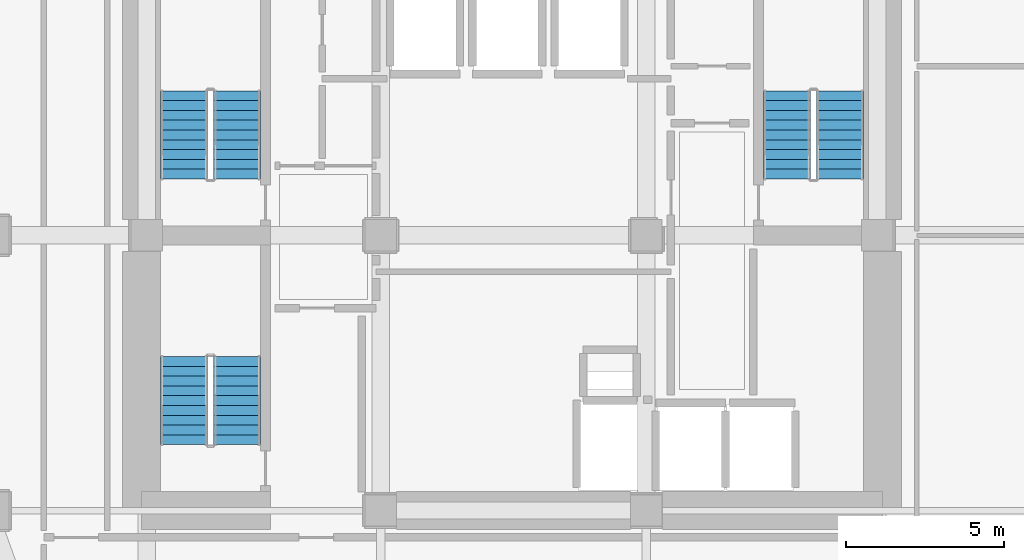
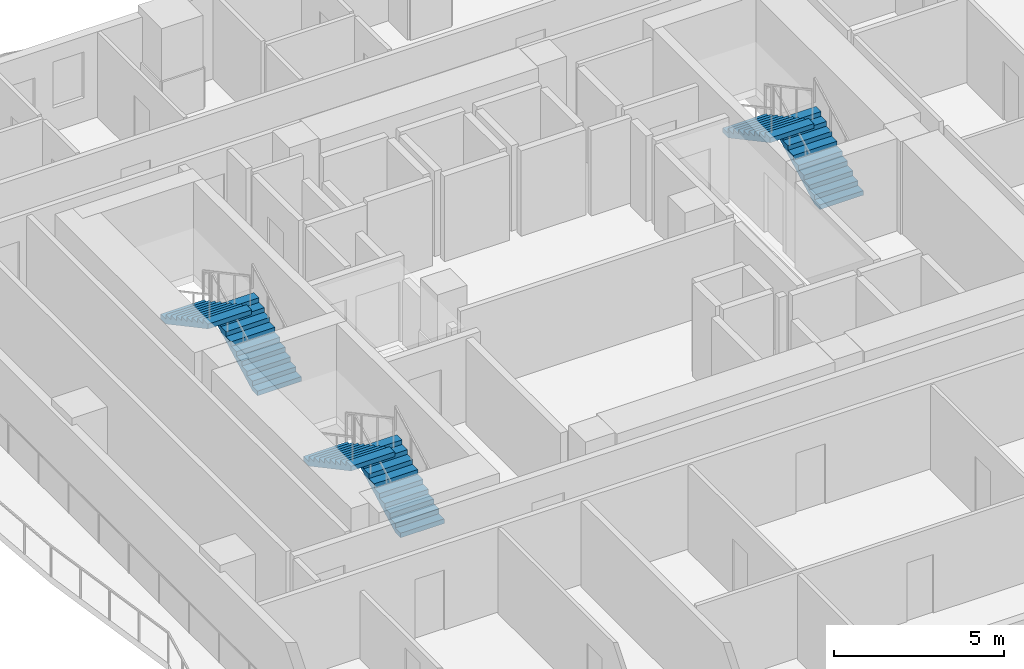
# One storey, part 7 of 10: 6 stair flights, 3 elements without a shape of their own.
"""IFC4 building model written with IfcOpenShell, lengths in metres."""

from ifc_helpers import new_model, si_unit, direction, frame, origin, place, context, subcontext, project, spatial, polyline, outline, extrude, material, type_object, element, aggregate, save


model = new_model("IFC4")

# Units and contexts
model_context = context("Model", 3, precision=1e-05, world=origin(), true_north=direction((0.0, 1.0)))
body_context = subcontext(model_context, "Body", "Model", "MODEL_VIEW")
ifc_project = project(units=[si_unit("LENGTHUNIT", "METRE"), si_unit("AREAUNIT", "SQUARE_METRE"), si_unit("VOLUMEUNIT", "CUBIC_METRE"), si_unit("PLANEANGLEUNIT", "RADIAN"), si_unit("MASSUNIT", "GRAM", prefix="KILO")], contexts=[model_context])

# Site, building, storey
site_placement = place(None, origin())
site = spatial("IfcSite", under=ifc_project, at=site_placement, CompositionType="ELEMENT")
building_placement = place(site_placement, origin())
building = spatial("IfcBuilding", under=site, at=building_placement, Name="Solanera Arch Residences", CompositionType="ELEMENT")
storey_placement = place(building_placement, frame((0.0, 0.0, 48.56005859375)))
storey = spatial("IfcBuildingStorey", under=building, at=storey_placement, Name="L13", CompositionType="ELEMENT", Elevation=48.56005859375)

# Stair, stair flights
ifc_material_1 = material(Name="Concrete C40/50 (f'c = 45 MPa)", Category="concrete")
stair_type = type_object("IfcStairType", Name="Tower Dogleg Exit Stair 1480", PredefinedType="HALF_TURN_STAIR", material=ifc_material_1)
stair_1_placement = place(storey_placement, origin())
stair_1 = element("IfcStair", 1, at=stair_1_placement, inside=storey, type_object=stair_type, Name="L13 Tower Core Exit Stair 1", PredefinedType="HALF_TURN_STAIR")
ifc_material_2 = material(Name="Concrete C40/50 (f'c = 45 MPa)", Category="concrete")
stair_flight_type = type_object("IfcStairFlightType", Name="Tower Precast Stair Flight 1480", PredefinedType="STRAIGHT", material=ifc_material_2)
stair_flight_1_placement = place(storey_placement, frame((16.260009765625, 32.47998046875, 0.0), z_axis=(0.0, 0.0, 1.0), x_axis=(0.0, 1.0, 0.0)))
stair_flight_1 = element("IfcStairFlight", 2, at=stair_flight_1_placement, type_object=stair_flight_type, Name="ST-T1 flight 1", NumberOfRisers=10, NumberOfTreads=9, PredefinedType="STRAIGHT", RiserHeight=0.166, TreadLength=0.31, context=body_context, shape_type="SweptSolid", body=[
    extrude(outline(polyline([(0.0, 0.0), (0.0, 0.166015625), (0.31005859375, 0.166015625), (0.31005859375, 0.33203125), (0.6201171875, 0.33203125), (0.6201171875, 0.498046875), (0.929931640625, 0.498046875), (0.929931640625, 0.6640625), (1.239990234375, 0.6640625), (1.239990234375, 0.830078125), (1.550048828125, 0.830078125), (1.550048828125, 0.99609375), (1.860107421875, 0.99609375), (1.860107421875, 1.162109375), (2.169921875, 1.162109375), (2.169921875, 1.327880859375), (2.47998046875, 1.327880859375), (2.47998046875, 1.493896484375), (2.7900390625, 1.493896484375), (2.7900390625, 1.659912109375), (2.7900390625, 1.323974609375), (0.317626953125, 0.0), (0.0, 0.0)])), frame((0.0, 0.739990234375, 0.0), z_axis=(0.0, -1.0, 0.0), x_axis=(1.0, 0.0, 0.0)), (0.0, 0.0, 1.0), 1.47998046875),
])
stair_flight_2_placement = place(storey_placement, frame((14.580078125, 35.27001953125, 1.659912109375), z_axis=(0.0, 0.0, 1.0), x_axis=(0.0, -1.0, 0.0)))
stair_flight_2 = element("IfcStairFlight", 3, at=stair_flight_2_placement, type_object=stair_flight_type, Name="ST-T1 flight 2", NumberOfRisers=10, NumberOfTreads=9, PredefinedType="STRAIGHT", RiserHeight=0.166, TreadLength=0.31, context=body_context, shape_type="SweptSolid", body=[
    extrude(outline(polyline([(0.0, 0.0), (0.0, 0.166015625), (0.31005859375, 0.166015625), (0.31005859375, 0.33203125), (0.6201171875, 0.33203125), (0.6201171875, 0.498046875), (0.929931640625, 0.498046875), (0.929931640625, 0.6640625), (1.239990234375, 0.6640625), (1.239990234375, 0.830078125), (1.550048828125, 0.830078125), (1.550048828125, 0.99609375), (1.860107421875, 0.99609375), (1.860107421875, 1.162109375), (2.169921875, 1.162109375), (2.169921875, 1.327880859375), (2.47998046875, 1.327880859375), (2.47998046875, 1.493896484375), (2.7900390625, 1.493896484375), (2.7900390625, 1.659912109375), (2.7900390625, 1.323974609375), (0.317626953125, 0.0), (0.0, 0.0)])), frame((0.0, 0.739990234375, 0.0), z_axis=(0.0, -1.0, 0.0), x_axis=(1.0, 0.0, 0.0)), (0.0, 0.0, 1.0), 1.47998046875),
])
aggregate(stair_1, [stair_flight_1, stair_flight_2])

stair_2_placement = place(storey_placement, origin())
stair_2 = element("IfcStair", 4, at=stair_2_placement, inside=storey, type_object=stair_type, Name="L13 Tower Core Exit Stair 2", PredefinedType="HALF_TURN_STAIR")
stair_flight_3_placement = place(storey_placement, frame((35.320068359375, 32.47998046875, 0.0), z_axis=(0.0, 0.0, 1.0), x_axis=(0.0, 1.0, 0.0)))
stair_flight_3 = element("IfcStairFlight", 5, at=stair_flight_3_placement, type_object=stair_flight_type, Name="ST-T2 flight 1", NumberOfRisers=10, NumberOfTreads=9, PredefinedType="STRAIGHT", RiserHeight=0.166, TreadLength=0.31, context=body_context, shape_type="SweptSolid", body=[
    extrude(outline(polyline([(0.0, 0.0), (0.0, 0.166015625), (0.31005859375, 0.166015625), (0.31005859375, 0.33203125), (0.6201171875, 0.33203125), (0.6201171875, 0.498046875), (0.929931640625, 0.498046875), (0.929931640625, 0.6640625), (1.239990234375, 0.6640625), (1.239990234375, 0.830078125), (1.550048828125, 0.830078125), (1.550048828125, 0.99609375), (1.860107421875, 0.99609375), (1.860107421875, 1.162109375), (2.169921875, 1.162109375), (2.169921875, 1.327880859375), (2.47998046875, 1.327880859375), (2.47998046875, 1.493896484375), (2.7900390625, 1.493896484375), (2.7900390625, 1.659912109375), (2.7900390625, 1.323974609375), (0.317626953125, 0.0), (0.0, 0.0)])), frame((0.0, 0.739990234375, 0.0), z_axis=(0.0, -1.0, 0.0), x_axis=(1.0, 0.0, 0.0)), (0.0, 0.0, 1.0), 1.47998046875),
])
stair_flight_4_placement = place(storey_placement, frame((33.639892578125, 35.27001953125, 1.659912109375), z_axis=(0.0, 0.0, 1.0), x_axis=(0.0, -1.0, 0.0)))
stair_flight_4 = element("IfcStairFlight", 6, at=stair_flight_4_placement, type_object=stair_flight_type, Name="ST-T2 flight 2", NumberOfRisers=10, NumberOfTreads=9, PredefinedType="STRAIGHT", RiserHeight=0.166, TreadLength=0.31, context=body_context, shape_type="SweptSolid", body=[
    extrude(outline(polyline([(0.0, 0.0), (0.0, 0.166015625), (0.31005859375, 0.166015625), (0.31005859375, 0.33203125), (0.6201171875, 0.33203125), (0.6201171875, 0.498046875), (0.929931640625, 0.498046875), (0.929931640625, 0.6640625), (1.239990234375, 0.6640625), (1.239990234375, 0.830078125), (1.550048828125, 0.830078125), (1.550048828125, 0.99609375), (1.860107421875, 0.99609375), (1.860107421875, 1.162109375), (2.169921875, 1.162109375), (2.169921875, 1.327880859375), (2.47998046875, 1.327880859375), (2.47998046875, 1.493896484375), (2.7900390625, 1.493896484375), (2.7900390625, 1.659912109375), (2.7900390625, 1.323974609375), (0.317626953125, 0.0), (0.0, 0.0)])), frame((0.0, 0.739990234375, 0.0), z_axis=(0.0, -1.0, 0.0), x_axis=(1.0, 0.0, 0.0)), (0.0, 0.0, 1.0), 1.47998046875),
])
aggregate(stair_2, [stair_flight_3, stair_flight_4])

stair_3_placement = place(storey_placement, origin())
stair_3 = element("IfcStair", 7, at=stair_3_placement, inside=storey, type_object=stair_type, Name="L13 Tower Core Exit Stair 3", PredefinedType="HALF_TURN_STAIR")
stair_flight_5_placement = place(storey_placement, frame((16.260009765625, 24.080078125, 0.0), z_axis=(0.0, 0.0, 1.0), x_axis=(0.0, 1.0, 0.0)))
stair_flight_5 = element("IfcStairFlight", 8, at=stair_flight_5_placement, type_object=stair_flight_type, Name="ST-T3 flight 1", NumberOfRisers=10, NumberOfTreads=9, PredefinedType="STRAIGHT", RiserHeight=0.166, TreadLength=0.31, context=body_context, shape_type="SweptSolid", body=[
    extrude(outline(polyline([(0.0, 0.0), (0.0, 0.166015625), (0.31005859375, 0.166015625), (0.31005859375, 0.33203125), (0.6201171875, 0.33203125), (0.6201171875, 0.498046875), (0.929931640625, 0.498046875), (0.929931640625, 0.6640625), (1.239990234375, 0.6640625), (1.239990234375, 0.830078125), (1.550048828125, 0.830078125), (1.550048828125, 0.99609375), (1.860107421875, 0.99609375), (1.860107421875, 1.162109375), (2.169921875, 1.162109375), (2.169921875, 1.327880859375), (2.47998046875, 1.327880859375), (2.47998046875, 1.493896484375), (2.7900390625, 1.493896484375), (2.7900390625, 1.659912109375), (2.7900390625, 1.323974609375), (0.317626953125, 0.0), (0.0, 0.0)])), frame((0.0, 0.739990234375, 0.0), z_axis=(0.0, -1.0, 0.0), x_axis=(1.0, 0.0, 0.0)), (0.0, 0.0, 1.0), 1.47998046875),
])
stair_flight_6_placement = place(storey_placement, frame((14.580078125, 26.8701171875, 1.659912109375), z_axis=(0.0, 0.0, 1.0), x_axis=(0.0, -1.0, 0.0)))
stair_flight_6 = element("IfcStairFlight", 9, at=stair_flight_6_placement, type_object=stair_flight_type, Name="ST-T3 flight 2", NumberOfRisers=10, NumberOfTreads=9, PredefinedType="STRAIGHT", RiserHeight=0.166, TreadLength=0.31, context=body_context, shape_type="SweptSolid", body=[
    extrude(outline(polyline([(0.0, 0.0), (0.0, 0.166015625), (0.31005859375, 0.166015625), (0.31005859375, 0.33203125), (0.6201171875, 0.33203125), (0.6201171875, 0.498046875), (0.929931640625, 0.498046875), (0.929931640625, 0.6640625), (1.239990234375, 0.6640625), (1.239990234375, 0.830078125), (1.550048828125, 0.830078125), (1.550048828125, 0.99609375), (1.860107421875, 0.99609375), (1.860107421875, 1.162109375), (2.169921875, 1.162109375), (2.169921875, 1.327880859375), (2.47998046875, 1.327880859375), (2.47998046875, 1.493896484375), (2.7900390625, 1.493896484375), (2.7900390625, 1.659912109375), (2.7900390625, 1.323974609375), (0.317626953125, 0.0), (0.0, 0.0)])), frame((0.0, 0.739990234375, 0.0), z_axis=(0.0, -1.0, 0.0), x_axis=(1.0, 0.0, 0.0)), (0.0, 0.0, 1.0), 1.47998046875),
])
aggregate(stair_3, [stair_flight_5, stair_flight_6])

save(model, "model.ifc")
